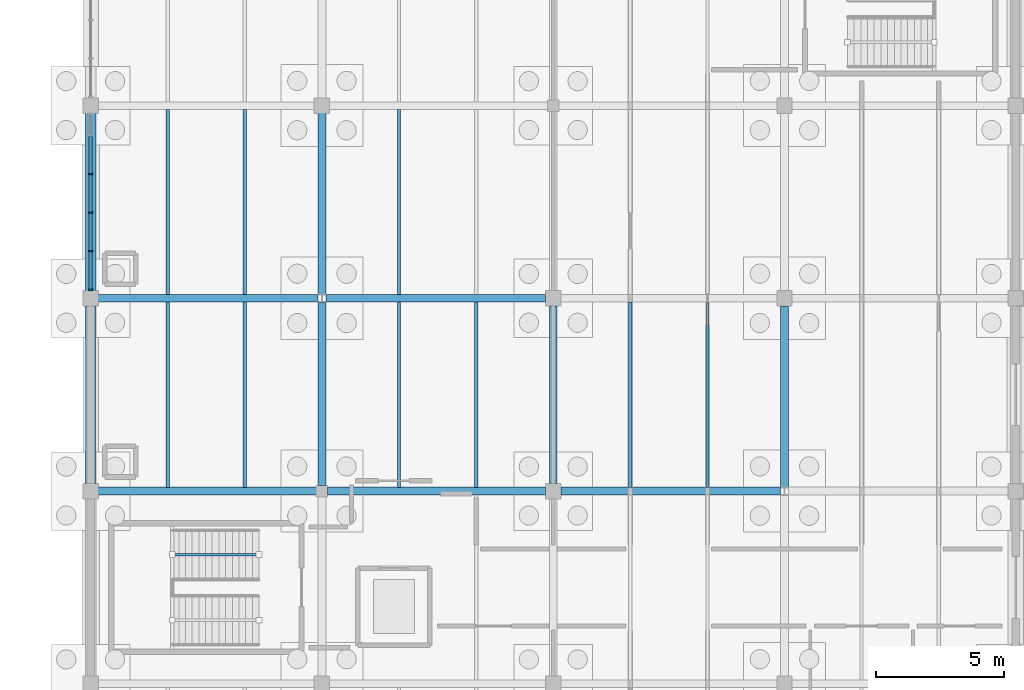
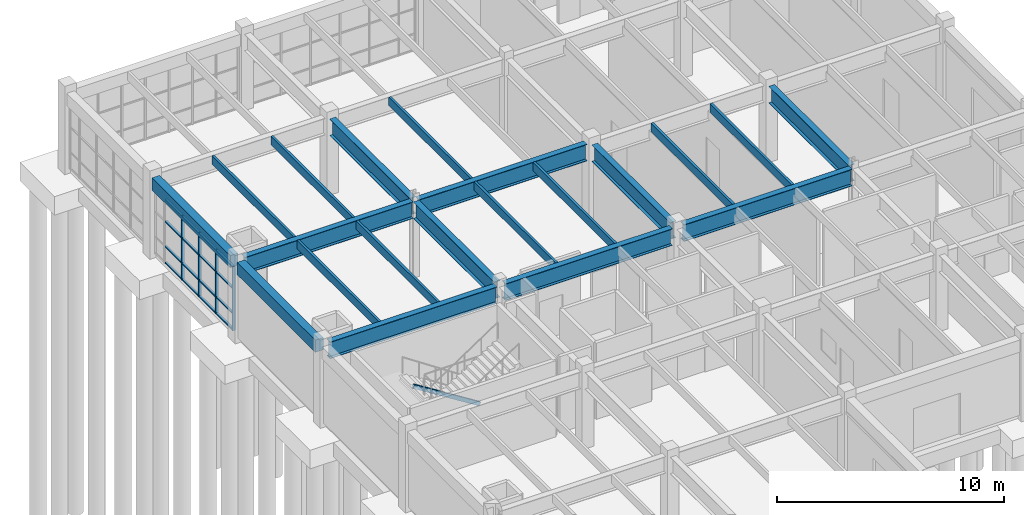
# One storey, part 33 of 93: 21 members, 20 beams, 1 element without a shape of its own.
"""IFC4 building model written with IfcOpenShell, lengths in metres."""

from ifc_helpers import new_model, si_unit, direction, frame, origin, origin_2d, place, context, subcontext, project, spatial, rectangle, hollow_rectangle, i_section, extrude, material, layer, layer_set, material_profile, profile_set, type_object, element, aggregate, save


model = new_model("IFC4")

# Units and contexts
model_context = context("Model", 3, precision=1e-05, world=origin(), true_north=direction((0.0, 1.0)))
body_context = subcontext(model_context, "Body", "Model", "MODEL_VIEW")
ifc_project = project(units=[si_unit("LENGTHUNIT", "METRE"), si_unit("AREAUNIT", "SQUARE_METRE"), si_unit("VOLUMEUNIT", "CUBIC_METRE"), si_unit("PLANEANGLEUNIT", "RADIAN"), si_unit("MASSUNIT", "GRAM", prefix="KILO")], contexts=[model_context])

# Site, building, storey
site_placement = place(None, origin())
site = spatial("IfcSite", under=ifc_project, at=site_placement, CompositionType="ELEMENT")
building_placement = place(site_placement, origin())
building = spatial("IfcBuilding", under=site, at=building_placement, Name="Marnridge Secondary College", CompositionType="ELEMENT")
storey_placement = place(building_placement, origin())
storey = spatial("IfcBuildingStorey", under=building, at=storey_placement, Name="L00", CompositionType="ELEMENT", Elevation=0.0)

# Beams
ifc_material_1 = material(Name="Engineered timber LVL E13.2", Category="wood")
ifc_material_profile_1 = material_profile(ifc_material_1, rectangle(XDim=0.1259765625, YDim=0.449951171875, at=origin_2d()), Name="LVL 126x450")
ifc_profile_set_1 = profile_set([ifc_material_profile_1], Name="Engineered timber LVL E13.2")
beam_type_1 = type_object("IfcBeamType", Name="BM-LVL450-INT", PredefinedType="JOIST", material=ifc_profile_set_1)
for number, where, z_axis, x_axis, name in (
    (1, (3.0, 97.64404296875, 3.875), (0.0, 1.0, 0.0), (-1.0, 0.0, 0.0), "Beam BJ-L00-0278"),
    (2, (6.0, 97.64404296875, 3.875), (0.0, 1.0, 0.0), (-1.0, 0.0, 0.0), "Beam BJ-L00-0279"),
    (3, (3.0, 105.14404296875, 3.875), (0.0, 1.0, 0.0), (-1.0, 0.0, 0.0), "Beam BJ-L00-0280"),
    (4, (6.0, 105.14404296875, 3.875), (0.0, 1.0, 0.0), (-1.0, 0.0, 0.0), "Beam BJ-L00-0281"),
    (5, (12.0, 97.64404296875, 3.875), (0.0, 1.0, 0.0), (-1.0, 0.0, 0.0), "Beam BJ-L00-0287"),
    (6, (15.0, 97.64404296875, 3.875), (0.0, 1.0, 0.0), (-1.0, 0.0, 0.0), "Beam BJ-L00-0288"),
    (7, (12.0, 105.14404296875, 3.875), (0.0, 1.0, 0.0), (-1.0, 0.0, 0.0), "Beam BJ-L00-0289"),
    (8, (21.0, 97.64404296875, 3.875), (0.0, 1.0, 0.0), (-1.0, 0.0, 0.0), "Beam BJ-L00-0297"),
    (9, (24.0, 97.64404296875, 3.875), (0.0, 1.0, 0.0), (-1.0, 0.0, 0.0), "Beam BJ-L00-0298"),
):
    element("IfcBeam", number, at=place(storey_placement, frame(where, z_axis=z_axis, x_axis=x_axis)), inside=storey, type_object=beam_type_1, Name=name, PredefinedType="JOIST", context=body_context, shape_type="SweptSolid", body=[
        extrude(rectangle(XDim=0.1259765625, YDim=0.449951171875, at=origin_2d()), origin(), (0.0, 0.0, 1.0), 7.2119140625),
    ])
ifc_material_2 = material(Name="Concrete C40/50 (AS 3600 N40, 40 MPa)", Category="concrete")
ifc_material_profile_2 = material_profile(ifc_material_2, rectangle(XDim=0.39990234375, YDim=0.64990234375, at=origin_2d()), Name="RC 400x650")
ifc_profile_set_2 = profile_set([ifc_material_profile_2], Name="Concrete C40/50 (AS 3600 N40, 40 MPa)")
beam_type_2 = type_object("IfcBeamType", Name="BM-RC4065-EXT", PredefinedType="SPANDREL", material=ifc_profile_set_2)
for number, where, z_axis, x_axis, name in (
    (10, (0.0, 97.7939453125, 3.77490234375), (0.0, 1.0, 0.0), (-1.0, 0.0, 0.0), "Beam BS-L00-0230"),
    (11, (0.0, 105.2939453125, 3.77490234375), (0.0, 1.0, 0.0), (-1.0, 0.0, 0.0), "Beam BS-L00-0233"),
):
    element("IfcBeam", number, at=place(storey_placement, frame(where, z_axis=z_axis, x_axis=x_axis)), inside=storey, type_object=beam_type_2, Name=name, PredefinedType="SPANDREL", context=body_context, shape_type="SweptSolid", body=[
        extrude(rectangle(XDim=0.39990234375, YDim=0.64990234375, at=origin_2d()), origin(), (0.0, 0.0, 1.0), 6.912109375),
    ])
ifc_material_3 = material(Name="Structural steel Grade 350 (AS/NZS 3679.1/.2, fy = 340-360 MPa)", Category="steel")
ifc_material_profile_3 = material_profile(ifc_material_3, i_section(OverallWidth=0.300048828125, OverallDepth=0.89990234375, WebThickness=0.011962890625, FlangeThickness=0.02001953125, at=origin_2d()), Name="900WB175")
ifc_profile_set_3 = profile_set([ifc_material_profile_3], Name="Structural steel Grade 350 (AS/NZS 3679.1/.2, fy = 340-360 MPa)")
beam_type_3 = type_object("IfcBeamType", Name="BM-WB900-INT", PredefinedType="BEAM", material=ifc_profile_set_3)
beam_1_placement = place(storey_placement, frame((0.2939453125, 97.5, 3.64990234375), z_axis=(1.0, 0.0, 0.0), x_axis=(0.0, 1.0, 0.0)))
element("IfcBeam", 12, at=beam_1_placement, inside=storey, type_object=beam_type_3, Name="Beam B-L00-0226", PredefinedType="BEAM", context=body_context, shape_type="SweptSolid", body=[
    extrude(i_section(OverallWidth=0.300048828125, OverallDepth=0.89990234375, WebThickness=0.011962890625, FlangeThickness=0.02001953125, at=origin_2d()), origin(), (0.0, 0.0, 1.0), 8.487060546875),
])
beam_2_placement = place(storey_placement, frame((0.2939453125, 105.0, 3.64990234375), z_axis=(1.0, 0.0, 0.0), x_axis=(0.0, 1.0, 0.0)))
element("IfcBeam", 13, at=beam_2_placement, inside=storey, type_object=beam_type_3, Name="Beam B-L00-0229", PredefinedType="BEAM", context=body_context, shape_type="SweptSolid", body=[
    extrude(i_section(OverallWidth=0.300048828125, OverallDepth=0.89990234375, WebThickness=0.011962890625, FlangeThickness=0.02001953125, at=origin_2d()), origin(), (0.0, 0.0, 1.0), 8.557373046875),
])
beam_3_placement = place(storey_placement, frame((9.0, 97.718994140625, 3.64990234375), z_axis=(0.0, 1.0, 0.0), x_axis=(-1.0, 0.0, 0.0)))
element("IfcBeam", 14, at=beam_3_placement, inside=storey, type_object=beam_type_3, Name="Beam B-L00-0231", PredefinedType="BEAM", context=body_context, shape_type="SweptSolid", body=[
    extrude(i_section(OverallWidth=0.300048828125, OverallDepth=0.89990234375, WebThickness=0.011962890625, FlangeThickness=0.02001953125, at=origin_2d()), origin(), (0.0, 0.0, 1.0), 7.126708984375),
])
beam_4_placement = place(storey_placement, frame((9.0, 105.154296875, 3.64990234375), z_axis=(0.0, 1.0, 0.0), x_axis=(-1.0, 0.0, 0.0)))
element("IfcBeam", 15, at=beam_4_placement, inside=storey, type_object=beam_type_3, Name="Beam B-L00-0234", PredefinedType="BEAM", context=body_context, shape_type="SweptSolid", body=[
    extrude(i_section(OverallWidth=0.300048828125, OverallDepth=0.89990234375, WebThickness=0.011962890625, FlangeThickness=0.02001953125, at=origin_2d()), origin(), (0.0, 0.0, 1.0), 7.0517578125),
])
beam_5_placement = place(storey_placement, frame((9.218994140625, 97.5, 3.64990234375), z_axis=(1.0, 0.0, 0.0), x_axis=(0.0, 1.0, 0.0)))
element("IfcBeam", 16, at=beam_5_placement, inside=storey, type_object=beam_type_3, Name="Beam B-L00-0241", PredefinedType="BEAM", context=body_context, shape_type="SweptSolid", body=[
    extrude(i_section(OverallWidth=0.300048828125, OverallDepth=0.89990234375, WebThickness=0.011962890625, FlangeThickness=0.02001953125, at=origin_2d()), origin(), (0.0, 0.0, 1.0), 8.487060546875),
])
beam_6_placement = place(storey_placement, frame((9.148681640625, 105.0, 3.64990234375), z_axis=(1.0, 0.0, 0.0), x_axis=(0.0, 1.0, 0.0)))
element("IfcBeam", 17, at=beam_6_placement, inside=storey, type_object=beam_type_3, Name="Beam B-L00-0243", PredefinedType="BEAM", context=body_context, shape_type="SweptSolid", body=[
    extrude(i_section(OverallWidth=0.300048828125, OverallDepth=0.89990234375, WebThickness=0.011962890625, FlangeThickness=0.02001953125, at=origin_2d()), origin(), (0.0, 0.0, 1.0), 8.557373046875),
])
beam_7_placement = place(storey_placement, frame((18.0, 97.7939453125, 3.64990234375), z_axis=(0.0, 1.0, 0.0), x_axis=(-1.0, 0.0, 0.0)))
element("IfcBeam", 18, at=beam_7_placement, inside=storey, type_object=beam_type_3, Name="Beam B-L00-0244", PredefinedType="BEAM", context=body_context, shape_type="SweptSolid", body=[
    extrude(i_section(OverallWidth=0.300048828125, OverallDepth=0.89990234375, WebThickness=0.011962890625, FlangeThickness=0.02001953125, at=origin_2d()), origin(), (0.0, 0.0, 1.0), 6.912109375),
])
beam_8_placement = place(storey_placement, frame((18.2939453125, 97.5, 3.64990234375), z_axis=(1.0, 0.0, 0.0), x_axis=(0.0, 1.0, 0.0)))
element("IfcBeam", 19, at=beam_8_placement, inside=storey, type_object=beam_type_3, Name="Beam B-L00-0252", PredefinedType="BEAM", context=body_context, shape_type="SweptSolid", body=[
    extrude(i_section(OverallWidth=0.300048828125, OverallDepth=0.89990234375, WebThickness=0.011962890625, FlangeThickness=0.02001953125, at=origin_2d()), origin(), (0.0, 0.0, 1.0), 8.557373046875),
])
beam_9_placement = place(storey_placement, frame((27.0, 97.654296875, 3.64990234375), z_axis=(0.0, 1.0, 0.0), x_axis=(-1.0, 0.0, 0.0)))
element("IfcBeam", 20, at=beam_9_placement, inside=storey, type_object=beam_type_3, Name="Beam B-L00-0255", PredefinedType="BEAM", context=body_context, shape_type="SweptSolid", body=[
    extrude(i_section(OverallWidth=0.300048828125, OverallDepth=0.89990234375, WebThickness=0.011962890625, FlangeThickness=0.02001953125, at=origin_2d()), origin(), (0.0, 0.0, 1.0), 7.0517578125),
])

# Curtain wall, members
ifc_material_4 = material(Name="Thermally broken aluminium and low-E glazing", Category="aluminium")
ifc_layer = layer(ifc_material_4, 0.159912109375)
ifc_layer_set = layer_set([ifc_layer], Name="CW-MOD-1500")
curtain_wall_type = type_object("IfcCurtainWallType", Name="CW-MOD-1500", PredefinedType="NOTDEFINED", material=ifc_layer_set)
curtain_wall_placement = place(storey_placement, origin())
curtain_wall = element("IfcCurtainWall", 21, at=curtain_wall_placement, inside=storey, type_object=curtain_wall_type, Name="Unitised curtain wall CW-L00-017", PredefinedType="NOTDEFINED")
ifc_material_5 = material(Name="Anodised aluminium 6063-T6", Category="aluminium")
ifc_material_profile_4 = material_profile(ifc_material_5, rectangle(XDim=0.06005859375, YDim=0.159912109375, at=origin_2d()), Name="ALU 60x160")
ifc_profile_set_4 = profile_set([ifc_material_profile_4], Name="Anodised aluminium 6063-T6")
member_type_1 = type_object("IfcMemberType", Name="CWM-ALU160", PredefinedType="MULLION", material=ifc_profile_set_4)
member_1_placement = place(storey_placement, frame((0.0, 105.333984375, 0.0), z_axis=(0.0, 0.0, 1.0), x_axis=(0.0, 1.0, 0.0)))
member_1 = element("IfcMember", 22, at=member_1_placement, type_object=member_type_1, Name="CW-L00-017 mullion 1", PredefinedType="MULLION", context=body_context, shape_type="SweptSolid", body=[
    extrude(rectangle(XDim=0.06005859375, YDim=0.159912109375, at=origin_2d()), origin(), (0.0, 0.0, 1.0), 3.44189453125),
])
member_2_placement = place(storey_placement, frame((0.0, 106.833984375, 0.0), z_axis=(0.0, 0.0, 1.0), x_axis=(0.0, 1.0, 0.0)))
member_2 = element("IfcMember", 23, at=member_2_placement, type_object=member_type_1, Name="CW-L00-017 mullion 2", PredefinedType="MULLION", context=body_context, shape_type="SweptSolid", body=[
    extrude(rectangle(XDim=0.06005859375, YDim=0.159912109375, at=origin_2d()), origin(), (0.0, 0.0, 1.0), 3.44189453125),
])
member_3_placement = place(storey_placement, frame((0.0, 108.333984375, 0.0), z_axis=(0.0, 0.0, 1.0), x_axis=(0.0, 1.0, 0.0)))
member_3 = element("IfcMember", 24, at=member_3_placement, type_object=member_type_1, Name="CW-L00-017 mullion 3", PredefinedType="MULLION", context=body_context, shape_type="SweptSolid", body=[
    extrude(rectangle(XDim=0.06005859375, YDim=0.159912109375, at=origin_2d()), origin(), (0.0, 0.0, 1.0), 3.44189453125),
])
member_4_placement = place(storey_placement, frame((0.0, 109.833984375, 0.0), z_axis=(0.0, 0.0, 1.0), x_axis=(0.0, 1.0, 0.0)))
member_4 = element("IfcMember", 25, at=member_4_placement, type_object=member_type_1, Name="CW-L00-017 mullion 4", PredefinedType="MULLION", context=body_context, shape_type="SweptSolid", body=[
    extrude(rectangle(XDim=0.06005859375, YDim=0.159912109375, at=origin_2d()), origin(), (0.0, 0.0, 1.0), 3.44189453125),
])
ifc_material_6 = material(Name="Anodised aluminium 6063-T6", Category="aluminium")
ifc_material_profile_5 = material_profile(ifc_material_6, rectangle(XDim=0.06005859375, YDim=0.1201171875, at=origin_2d()), Name="ALU 60x120")
ifc_profile_set_5 = profile_set([ifc_material_profile_5], Name="Anodised aluminium 6063-T6")
member_type_2 = type_object("IfcMemberType", Name="CWT-ALU120", PredefinedType="USERDEFINED", material=ifc_profile_set_5)
member_5_placement = place(storey_placement, frame((0.0, 105.364013671875, 0.030029296875), z_axis=(0.0, 1.0, 0.0), x_axis=(0.0, 0.0, 1.0)))
member_5 = element("IfcMember", 26, at=member_5_placement, type_object=member_type_2, Name="CW-L00-017 transom 1.1", ObjectType="TRANSOM", PredefinedType="USERDEFINED", context=body_context, shape_type="SweptSolid", body=[
    extrude(rectangle(XDim=0.06005859375, YDim=0.1201171875, at=origin_2d()), origin(), (0.0, 0.0, 1.0), 1.43994140625),
])
member_6_placement = place(storey_placement, frame((0.0, 105.364013671875, 0.89990234375), z_axis=(0.0, 1.0, 0.0), x_axis=(0.0, 0.0, 1.0)))
member_6 = element("IfcMember", 27, at=member_6_placement, type_object=member_type_2, Name="CW-L00-017 transom 1.2", ObjectType="TRANSOM", PredefinedType="USERDEFINED", context=body_context, shape_type="SweptSolid", body=[
    extrude(rectangle(XDim=0.06005859375, YDim=0.1201171875, at=origin_2d()), origin(), (0.0, 0.0, 1.0), 1.43994140625),
])
member_7_placement = place(storey_placement, frame((0.0, 105.364013671875, 2.25), z_axis=(0.0, 1.0, 0.0), x_axis=(0.0, 0.0, 1.0)))
member_7 = element("IfcMember", 28, at=member_7_placement, type_object=member_type_2, Name="CW-L00-017 transom 1.3", ObjectType="TRANSOM", PredefinedType="USERDEFINED", context=body_context, shape_type="SweptSolid", body=[
    extrude(rectangle(XDim=0.06005859375, YDim=0.1201171875, at=origin_2d()), origin(), (0.0, 0.0, 1.0), 1.43994140625),
])
member_8_placement = place(storey_placement, frame((0.0, 105.364013671875, 3.412109375), z_axis=(0.0, 1.0, 0.0), x_axis=(0.0, 0.0, 1.0)))
member_8 = element("IfcMember", 29, at=member_8_placement, type_object=member_type_2, Name="CW-L00-017 transom 1.4", ObjectType="TRANSOM", PredefinedType="USERDEFINED", context=body_context, shape_type="SweptSolid", body=[
    extrude(rectangle(XDim=0.06005859375, YDim=0.1201171875, at=origin_2d()), origin(), (0.0, 0.0, 1.0), 1.43994140625),
])
member_9_placement = place(storey_placement, frame((0.0, 106.864013671875, 0.030029296875), z_axis=(0.0, 1.0, 0.0), x_axis=(0.0, 0.0, 1.0)))
member_9 = element("IfcMember", 30, at=member_9_placement, type_object=member_type_2, Name="CW-L00-017 transom 2.1", ObjectType="TRANSOM", PredefinedType="USERDEFINED", context=body_context, shape_type="SweptSolid", body=[
    extrude(rectangle(XDim=0.06005859375, YDim=0.1201171875, at=origin_2d()), origin(), (0.0, 0.0, 1.0), 1.43994140625),
])
member_10_placement = place(storey_placement, frame((0.0, 106.864013671875, 0.89990234375), z_axis=(0.0, 1.0, 0.0), x_axis=(0.0, 0.0, 1.0)))
member_10 = element("IfcMember", 31, at=member_10_placement, type_object=member_type_2, Name="CW-L00-017 transom 2.2", ObjectType="TRANSOM", PredefinedType="USERDEFINED", context=body_context, shape_type="SweptSolid", body=[
    extrude(rectangle(XDim=0.06005859375, YDim=0.1201171875, at=origin_2d()), origin(), (0.0, 0.0, 1.0), 1.43994140625),
])
member_11_placement = place(storey_placement, frame((0.0, 106.864013671875, 2.25), z_axis=(0.0, 1.0, 0.0), x_axis=(0.0, 0.0, 1.0)))
member_11 = element("IfcMember", 32, at=member_11_placement, type_object=member_type_2, Name="CW-L00-017 transom 2.3", ObjectType="TRANSOM", PredefinedType="USERDEFINED", context=body_context, shape_type="SweptSolid", body=[
    extrude(rectangle(XDim=0.06005859375, YDim=0.1201171875, at=origin_2d()), origin(), (0.0, 0.0, 1.0), 1.43994140625),
])
member_12_placement = place(storey_placement, frame((0.0, 106.864013671875, 3.412109375), z_axis=(0.0, 1.0, 0.0), x_axis=(0.0, 0.0, 1.0)))
member_12 = element("IfcMember", 33, at=member_12_placement, type_object=member_type_2, Name="CW-L00-017 transom 2.4", ObjectType="TRANSOM", PredefinedType="USERDEFINED", context=body_context, shape_type="SweptSolid", body=[
    extrude(rectangle(XDim=0.06005859375, YDim=0.1201171875, at=origin_2d()), origin(), (0.0, 0.0, 1.0), 1.43994140625),
])
member_13_placement = place(storey_placement, frame((0.0, 108.364013671875, 0.030029296875), z_axis=(0.0, 1.0, 0.0), x_axis=(0.0, 0.0, 1.0)))
member_13 = element("IfcMember", 34, at=member_13_placement, type_object=member_type_2, Name="CW-L00-017 transom 3.1", ObjectType="TRANSOM", PredefinedType="USERDEFINED", context=body_context, shape_type="SweptSolid", body=[
    extrude(rectangle(XDim=0.06005859375, YDim=0.1201171875, at=origin_2d()), origin(), (0.0, 0.0, 1.0), 1.43994140625),
])
member_14_placement = place(storey_placement, frame((0.0, 108.364013671875, 0.89990234375), z_axis=(0.0, 1.0, 0.0), x_axis=(0.0, 0.0, 1.0)))
member_14 = element("IfcMember", 35, at=member_14_placement, type_object=member_type_2, Name="CW-L00-017 transom 3.2", ObjectType="TRANSOM", PredefinedType="USERDEFINED", context=body_context, shape_type="SweptSolid", body=[
    extrude(rectangle(XDim=0.06005859375, YDim=0.1201171875, at=origin_2d()), origin(), (0.0, 0.0, 1.0), 1.43994140625),
])
member_15_placement = place(storey_placement, frame((0.0, 108.364013671875, 2.25), z_axis=(0.0, 1.0, 0.0), x_axis=(0.0, 0.0, 1.0)))
member_15 = element("IfcMember", 36, at=member_15_placement, type_object=member_type_2, Name="CW-L00-017 transom 3.3", ObjectType="TRANSOM", PredefinedType="USERDEFINED", context=body_context, shape_type="SweptSolid", body=[
    extrude(rectangle(XDim=0.06005859375, YDim=0.1201171875, at=origin_2d()), origin(), (0.0, 0.0, 1.0), 1.43994140625),
])
member_16_placement = place(storey_placement, frame((0.0, 108.364013671875, 3.412109375), z_axis=(0.0, 1.0, 0.0), x_axis=(0.0, 0.0, 1.0)))
member_16 = element("IfcMember", 37, at=member_16_placement, type_object=member_type_2, Name="CW-L00-017 transom 3.4", ObjectType="TRANSOM", PredefinedType="USERDEFINED", context=body_context, shape_type="SweptSolid", body=[
    extrude(rectangle(XDim=0.06005859375, YDim=0.1201171875, at=origin_2d()), origin(), (0.0, 0.0, 1.0), 1.43994140625),
])
member_17_placement = place(storey_placement, frame((0.0, 109.864013671875, 0.030029296875), z_axis=(0.0, 1.0, 0.0), x_axis=(0.0, 0.0, 1.0)))
member_17 = element("IfcMember", 38, at=member_17_placement, type_object=member_type_2, Name="CW-L00-017 transom 4.1", ObjectType="TRANSOM", PredefinedType="USERDEFINED", context=body_context, shape_type="SweptSolid", body=[
    extrude(rectangle(XDim=0.06005859375, YDim=0.1201171875, at=origin_2d()), origin(), (0.0, 0.0, 1.0), 1.43994140625),
])
member_18_placement = place(storey_placement, frame((0.0, 109.864013671875, 0.89990234375), z_axis=(0.0, 1.0, 0.0), x_axis=(0.0, 0.0, 1.0)))
member_18 = element("IfcMember", 39, at=member_18_placement, type_object=member_type_2, Name="CW-L00-017 transom 4.2", ObjectType="TRANSOM", PredefinedType="USERDEFINED", context=body_context, shape_type="SweptSolid", body=[
    extrude(rectangle(XDim=0.06005859375, YDim=0.1201171875, at=origin_2d()), origin(), (0.0, 0.0, 1.0), 1.43994140625),
])
member_19_placement = place(storey_placement, frame((0.0, 109.864013671875, 2.25), z_axis=(0.0, 1.0, 0.0), x_axis=(0.0, 0.0, 1.0)))
member_19 = element("IfcMember", 40, at=member_19_placement, type_object=member_type_2, Name="CW-L00-017 transom 4.3", ObjectType="TRANSOM", PredefinedType="USERDEFINED", context=body_context, shape_type="SweptSolid", body=[
    extrude(rectangle(XDim=0.06005859375, YDim=0.1201171875, at=origin_2d()), origin(), (0.0, 0.0, 1.0), 1.43994140625),
])
member_20_placement = place(storey_placement, frame((0.0, 109.864013671875, 3.412109375), z_axis=(0.0, 1.0, 0.0), x_axis=(0.0, 0.0, 1.0)))
member_20 = element("IfcMember", 41, at=member_20_placement, type_object=member_type_2, Name="CW-L00-017 transom 4.4", ObjectType="TRANSOM", PredefinedType="USERDEFINED", context=body_context, shape_type="SweptSolid", body=[
    extrude(rectangle(XDim=0.06005859375, YDim=0.1201171875, at=origin_2d()), origin(), (0.0, 0.0, 1.0), 1.43994140625),
])
aggregate(curtain_wall, [member_1, member_2, member_3, member_4, member_5, member_6, member_7, member_8, member_9, member_10, member_11, member_12, member_13, member_14, member_15, member_16, member_17, member_18, member_19, member_20])

# Member
ifc_material_7 = material(Name="Cold-formed steel Grade C350L0 (AS/NZS 1163, fy = 350 MPa)", Category="steel")
ifc_material_profile_6 = material_profile(ifc_material_7, hollow_rectangle(XDim=0.10009765625, YDim=0.199951171875, WallThickness=0.006103515625, at=origin_2d()), Name="200x100x6.0RHS")
ifc_profile_set_6 = profile_set([ifc_material_profile_6], Name="Cold-formed steel Grade C350L0 (AS/NZS 1163, fy = 350 MPa)")
member_type_3 = type_object("IfcMemberType", Name="MB-STR-RHS200", PredefinedType="STRINGER", material=ifc_profile_set_6)
member_21_placement = place(storey_placement, frame((6.550048828125, 95.030029296875, 0.014892578125), z_axis=(-0.846349195689, 0.0, 0.532628424849), x_axis=(0.0, -1.0, 0.0)))
element("IfcMember", 42, at=member_21_placement, inside=storey, type_object=member_type_3, Name="Stair stringer STR-037", PredefinedType="STRINGER", context=body_context, shape_type="SweptSolid", body=[
    extrude(hollow_rectangle(XDim=0.10009765625, YDim=0.199951171875, WallThickness=0.006103515625, at=origin_2d()), origin(), (0.0, 0.0, 1.0), 3.99365234375),
])

save(model, "model.ifc")
